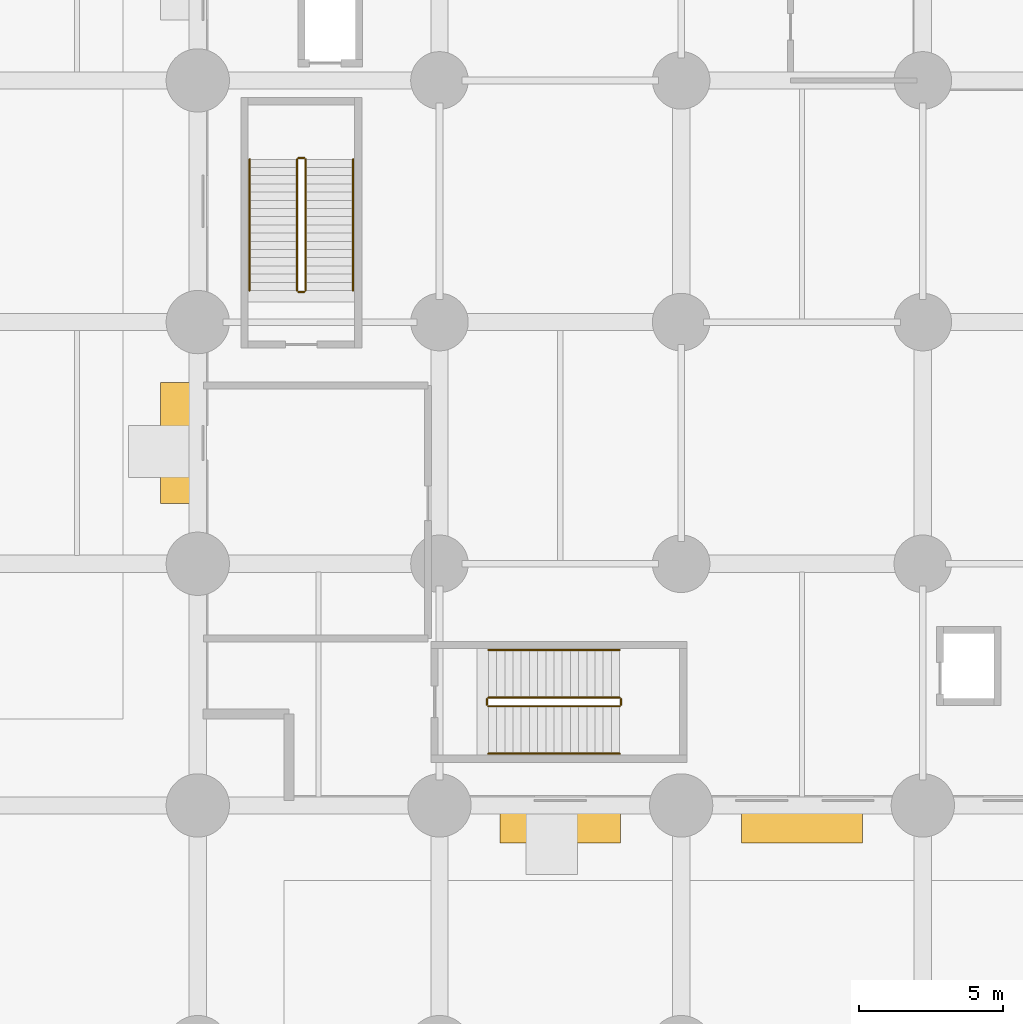
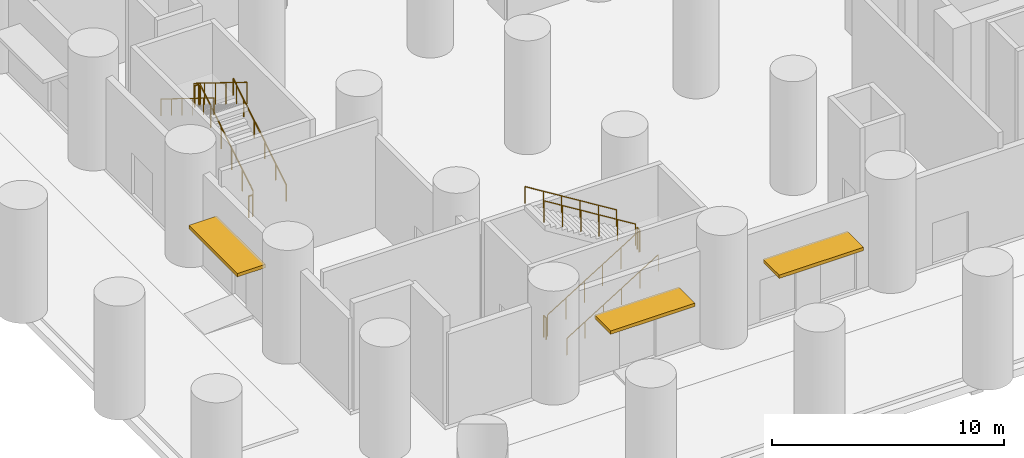
# One storey, part 10 of 13: 12 railings, 3 shading devices.
"""IFC4 building model written with IfcOpenShell, lengths in metres."""

import ifcopenshell
import ifcopenshell.guid

model = None  # the IFC model being written
_history = None  # IfcOwnerHistory: only IFC2X3 demands one
_inside = {}  # id of a spatial element -> (the spatial element, [elements in it])
_under = {}  # id of a project, library or spatial element -> (it, [spatial elements below it])
_declared = {}  # id of a project -> (the project, [libraries it declares])
_typed = {}  # id of a type object -> (the type object, [elements of that type])
_made_of = {}  # id of a material, layer set ... -> (it, [elements and type objects made of it])


def new_model(schema):
    """Start an empty IFC model of exactly this schema.

    Asked for "IFC4X3", IfcOpenShell would pick the latest addendum, in which some entities
    have other attributes; the version numbers below select the first issue.
    IFC2X3 requires an IfcOwnerHistory on every rooted entity: one is made here for all.
    """
    global model, _history
    if schema == "IFC4X3":
        model = ifcopenshell.file(schema_version=(4, 3, 0, 0))
    else:
        model = ifcopenshell.file(schema=schema)
    _inside.clear()
    _under.clear()
    _declared.clear()
    _typed.clear()
    _made_of.clear()
    _history = None
    if model.schema == "IFC2X3":
        org = make("IfcOrganization", Name="unknown")
        user = make(
            "IfcPersonAndOrganization",
            ThePerson=make("IfcPerson", FamilyName="unknown"),
            TheOrganization=org,
        )
        app = make(
            "IfcApplication",
            ApplicationDeveloper=org,
            Version="unknown",
            ApplicationFullName="unknown",
            ApplicationIdentifier="unknown",
        )
        _history = make(
            "IfcOwnerHistory",
            OwningUser=user,
            OwningApplication=app,
            ChangeAction="ADDED",
            CreationDate=0,
        )
    return model


def make(cls, **values):
    """One entity of the class cls with the attributes given. An attribute that is None is left unset."""
    return model.create_entity(
        cls, **{name: value for name, value in values.items() if value is not None}
    )


def rooted(cls, **values):
    """An entity with a GlobalId (a new one), such as an element, a storey or a relation."""
    return make(cls, GlobalId=ifcopenshell.guid.new(), OwnerHistory=_history, **values)


def si_unit(unit_type, name, prefix=None):
    """IfcSIUnit, for example si_unit("LENGTHUNIT", "METRE", prefix="MILLI")."""
    return make("IfcSIUnit", UnitType=unit_type, Prefix=prefix, Name=name)


def assignment(units):
    """IfcUnitAssignment: the units of a project."""
    return None if units is None else make("IfcUnitAssignment", Units=units)


def point(xyz):
    """IfcCartesianPoint."""
    return None if xyz is None else make("IfcCartesianPoint", Coordinates=xyz)


def direction(xyz):
    """IfcDirection."""
    return None if xyz is None else make("IfcDirection", DirectionRatios=xyz)


def frame(location, z_axis=None, x_axis=None):
    """IfcAxis2Placement3D, a coordinate frame: its origin and axes. An axis left out is left unset."""
    return make(
        "IfcAxis2Placement3D",
        Location=point(location),
        Axis=direction(z_axis),
        RefDirection=direction(x_axis),
    )


def frame_2d(location, x_axis=None):
    """IfcAxis2Placement2D, a coordinate frame in the plane: its origin and x axis."""
    return make(
        "IfcAxis2Placement2D", Location=point(location), RefDirection=direction(x_axis)
    )


def origin():
    """The frame at (0, 0, 0) with its axes left unset."""
    return frame((0.0, 0.0, 0.0))


def origin_2d():
    """The frame at (0, 0) in the plane with its x axis left unset."""
    return frame_2d((0.0, 0.0))


def place(relative_to, where):
    """IfcLocalPlacement: puts the frame where relative to a parent placement (None: the world)."""
    return make(
        "IfcLocalPlacement", PlacementRelTo=relative_to, RelativePlacement=where
    )


def context(
    kind, dimensions, precision=None, world=None, true_north=None, identifier=None
):
    """IfcGeometricRepresentationContext, for example the 3D "Model" context."""
    return make(
        "IfcGeometricRepresentationContext",
        ContextIdentifier=identifier,
        ContextType=kind,
        CoordinateSpaceDimension=dimensions,
        Precision=precision,
        WorldCoordinateSystem=world,
        TrueNorth=true_north,
    )


def subcontext(parent, identifier, kind, view, scale=None):
    """IfcGeometricRepresentationSubContext, for example "Body" below "Model"."""
    return make(
        "IfcGeometricRepresentationSubContext",
        ContextIdentifier=identifier,
        ContextType=kind,
        ParentContext=parent,
        TargetScale=scale,
        TargetView=view,
    )


def project(units=None, contexts=None):
    """IfcProject with its units and contexts."""
    return rooted(
        "IfcProject",
        Name="project",
        RepresentationContexts=contexts,
        UnitsInContext=assignment(units),
    )


def spatial(cls, under=None, at=None, **own):
    """A site, building, storey or space (cls), placed at a placement, below another one or the project."""
    s = rooted(cls, ObjectPlacement=at, **own)
    if under is not None:
        _under.setdefault(under.id(), (under, []))[1].append(s)
    return s


def profile(cls, at=None, kind="AREA", **sizes):
    """A parametric profile (cls). Its sizes go by their IFC names, for example OverallWidth=200.0."""
    return make(cls, ProfileType=kind, Position=at, **sizes)


def rectangle(**sizes):
    """IfcRectangleProfileDef."""
    return profile("IfcRectangleProfileDef", **sizes)


def circle(**sizes):
    """IfcCircleProfileDef."""
    return profile("IfcCircleProfileDef", **sizes)


def extrude(swept, where, along, depth):
    """IfcExtrudedAreaSolid: the profile swept, set in the frame where, extruded along a direction by depth."""
    return make(
        "IfcExtrudedAreaSolid",
        SweptArea=swept,
        Position=where,
        ExtrudedDirection=direction(along),
        Depth=depth,
    )


def shape(context_of_items, identifier, shape_type, items):
    """IfcShapeRepresentation: the items that make up one representation, for example the "Body"."""
    return make(
        "IfcShapeRepresentation",
        ContextOfItems=context_of_items,
        RepresentationIdentifier=identifier,
        RepresentationType=shape_type,
        Items=items,
    )


def material(Name=None, Category=None):
    """IfcMaterial."""
    return make("IfcMaterial", Name=Name, Category=Category)


def layer(
    of_material, thickness, ventilated=None, Name=None, Category=None, Priority=None
):
    """IfcMaterialLayer: one layer of a wall or slab, of a material (None: an air gap)."""
    return make(
        "IfcMaterialLayer",
        Material=of_material,
        LayerThickness=thickness,
        IsVentilated=ventilated,
        Name=Name,
        Category=Category,
        Priority=Priority,
    )


def layer_set(layers, Name=None):
    """IfcMaterialLayerSet."""
    return make("IfcMaterialLayerSet", MaterialLayers=layers, LayerSetName=Name)


def made_of(thing, what):
    """Note that an element or type object is made of a material, layer set ...; save() writes the relation."""
    if what is not None:
        _made_of.setdefault(what.id(), (what, []))[1].append(thing)
    return thing


def type_object(cls, material=None, **own):
    """A type object (cls), such as IfcWallType, which elements share."""
    return made_of(rooted(cls, **own), material)


def element(
    cls,
    number,
    at=None,
    inside=None,
    cuts=None,
    type_object=None,
    material=None,
    context=None,
    identifier="Body",
    shape_type=None,
    held_by="IfcProductDefinitionShape",
    body=None,
    shapes=None,
    **own,
):
    """One element of the class cls, such as IfcWall. Its Tag is "e" and its number.

    at: its placement. inside: the storey or other place that contains it. cuts: it is an
    opening in that element (IfcRelVoidsElement). A single representation is given by context,
    identifier, shape_type and body (its items); several are given by shapes. held_by: the class
    of the entity that holds the representations. save() writes the other relations.
    """
    e = rooted(cls, Tag="e%d" % number, ObjectPlacement=at, **own)
    if body is not None:
        shapes = [shape(context, identifier, shape_type, body)]
    if shapes is not None:
        e.Representation = make(held_by, Representations=shapes)
    if inside is not None:
        _inside.setdefault(inside.id(), (inside, []))[1].append(e)
    if cuts is not None:
        rooted(
            "IfcRelVoidsElement", RelatingBuildingElement=cuts, RelatedOpeningElement=e
        )
    if type_object is not None:
        _typed.setdefault(type_object.id(), (type_object, []))[1].append(e)
    return made_of(e, material)


def aggregate(whole, parts):
    """IfcRelAggregates: a whole, such as a stair, and the parts it consists of."""
    return rooted("IfcRelAggregates", RelatingObject=whole, RelatedObjects=parts)


def save(model, path):
    """Write the relations noted so far, then the file.

    IfcRelAggregates (storeys below a building ...), IfcRelContainedInSpatialStructure (elements
    in a storey), IfcRelDefinesByType, IfcRelAssociatesMaterial and IfcRelDeclares: one each for
    every whole, place, type object, material and project.
    """
    for whole, parts in _under.values():
        aggregate(whole, parts)
    for where, things in _inside.values():
        rooted(
            "IfcRelContainedInSpatialStructure",
            RelatedElements=things,
            RelatingStructure=where,
        )
    for kind, things in _typed.values():
        rooted("IfcRelDefinesByType", RelatedObjects=things, RelatingType=kind)
    for what, things in _made_of.values():
        rooted("IfcRelAssociatesMaterial", RelatedObjects=things, RelatingMaterial=what)
    for by, libraries in _declared.values():
        rooted("IfcRelDeclares", RelatingContext=by, RelatedDefinitions=libraries)
    model.write(path)


model = new_model("IFC4")

# Units and contexts
model_context = context("Model", 3, precision=1e-05, world=origin(), true_north=direction((0.0, 1.0)))
body_context = subcontext(model_context, "Body", "Model", "MODEL_VIEW")
ifc_project = project(units=[si_unit("LENGTHUNIT", "METRE"), si_unit("AREAUNIT", "SQUARE_METRE"), si_unit("VOLUMEUNIT", "CUBIC_METRE"), si_unit("PLANEANGLEUNIT", "RADIAN"), si_unit("MASSUNIT", "GRAM", prefix="KILO")], contexts=[model_context])

# Site, building, storey
site_placement = place(None, origin())
site = spatial("IfcSite", under=ifc_project, at=site_placement, CompositionType="ELEMENT")
building_placement = place(site_placement, origin())
building = spatial("IfcBuilding", under=site, at=building_placement, Name="Koriwani Terraces Tower", CompositionType="ELEMENT")
storey_placement = place(building_placement, origin())
storey = spatial("IfcBuildingStorey", under=building, at=storey_placement, Name="L00", CompositionType="ELEMENT", Elevation=0.0)

# Railings
ifc_material_1 = material(Name="Steel ASTM A572 Grade 50", Category="steel")
railing_type_1 = type_object("IfcRailingType", Name="GUARD_STAIR_WELL_1120", PredefinedType="GUARDRAIL", material=ifc_material_1)
railing_1_placement = place(storey_placement, frame((12.14990234375, 26.300048828125, 0.176513671875)))
element("IfcRailing", 1, at=railing_1_placement, inside=storey, type_object=railing_type_1, Name="L00 ST-P1 stair guard 1", PredefinedType="GUARDRAIL", context=body_context, shape_type="SweptSolid", body=[
    extrude(circle(Radius=0.02392578125, at=origin_2d()), frame((0.0, 0.0, 1.1259765625), z_axis=(0.0, 0.850215668316, 0.526434532824), x_axis=(-1.0, 0.0, 0.0)), (0.0, 0.0, 1.0), 5.363525390625),
    extrude(circle(Radius=0.02099609375, at=origin_2d()), origin(), (0.0, 0.0, 1.0), 1.101806640625),
    extrude(circle(Radius=0.02099609375, at=origin_2d()), frame((0.0, 0.912109375, 0.564697265625)), (0.0, 0.0, 1.0), 1.101806640625),
    extrude(circle(Radius=0.02099609375, at=origin_2d()), frame((0.0, 1.823974609375, 1.12939453125)), (0.0, 0.0, 1.0), 1.101806640625),
    extrude(circle(Radius=0.02099609375, at=origin_2d()), frame((0.0, 2.736083984375, 1.694091796875)), (0.0, 0.0, 1.0), 1.101806640625),
    extrude(circle(Radius=0.02099609375, at=origin_2d()), frame((0.0, 3.64794921875, 2.2587890625)), (0.0, 0.0, 1.0), 1.101806640625),
    extrude(circle(Radius=0.02099609375, at=origin_2d()), frame((0.0, 4.56005859375, 2.823486328125)), (0.0, 0.0, 1.0), 1.101806640625),
])
railing_2_placement = place(storey_placement, frame((12.10009765625, 30.909912109375, 3.0)))
element("IfcRailing", 2, at=railing_2_placement, inside=storey, type_object=railing_type_1, Name="L00 ST-P1 stair guard 2", PredefinedType="GUARDRAIL", context=body_context, shape_type="SweptSolid", body=[
    extrude(circle(Radius=0.02392578125, at=origin_2d()), frame((0.0, 0.0, 1.1259765625), z_axis=(-1.0, 0.0, 0.0), x_axis=(0.0, -1.0, 0.0)), (0.0, 0.0, 1.0), 0.2001953125),
    extrude(circle(Radius=0.02099609375, at=origin_2d()), origin(), (0.0, 0.0, 1.0), 1.101806640625),
    extrude(circle(Radius=0.02099609375, at=origin_2d()), frame((-0.2001953125, 0.0, 0.0)), (0.0, 0.0, 1.0), 1.101806640625),
])
railing_3_placement = place(storey_placement, frame((11.85009765625, 30.860107421875, 3.176513671875)))
element("IfcRailing", 3, at=railing_3_placement, inside=storey, type_object=railing_type_1, Name="L00 ST-P1 stair guard 3", PredefinedType="GUARDRAIL", context=body_context, shape_type="SweptSolid", body=[
    extrude(circle(Radius=0.02392578125, at=origin_2d()), frame((0.0, 0.0, 1.1259765625), z_axis=(0.0, -0.850215668316, 0.526434532824), x_axis=(1.0, 0.0, 0.0)), (0.0, 0.0, 1.0), 5.363525390625),
    extrude(circle(Radius=0.02099609375, at=origin_2d()), origin(), (0.0, 0.0, 1.0), 1.101806640625),
    extrude(circle(Radius=0.02099609375, at=origin_2d()), frame((0.0, -0.912109375, 0.564697265625)), (0.0, 0.0, 1.0), 1.101806640625),
    extrude(circle(Radius=0.02099609375, at=origin_2d()), frame((0.0, -1.823974609375, 1.12939453125)), (0.0, 0.0, 1.0), 1.101806640625),
    extrude(circle(Radius=0.02099609375, at=origin_2d()), frame((0.0, -2.736083984375, 1.694091796875)), (0.0, 0.0, 1.0), 1.101806640625),
    extrude(circle(Radius=0.02099609375, at=origin_2d()), frame((0.0, -3.64794921875, 2.2587890625)), (0.0, 0.0, 1.0), 1.101806640625),
    extrude(circle(Radius=0.02099609375, at=origin_2d()), frame((0.0, -4.56005859375, 2.823486328125)), (0.0, 0.0, 1.0), 1.101806640625),
])
railing_4_placement = place(storey_placement, frame((12.10009765625, 26.25, 0.0)))
element("IfcRailing", 4, at=railing_4_placement, inside=storey, type_object=railing_type_1, Name="L00 ST-P1 stair guard 4", PredefinedType="GUARDRAIL", context=body_context, shape_type="SweptSolid", body=[
    extrude(circle(Radius=0.02392578125, at=origin_2d()), frame((0.0, 0.0, 1.1259765625), z_axis=(-1.0, 0.0, 0.0), x_axis=(0.0, -1.0, 0.0)), (0.0, 0.0, 1.0), 0.2001953125),
    extrude(circle(Radius=0.02099609375, at=origin_2d()), origin(), (0.0, 0.0, 1.0), 1.101806640625),
    extrude(circle(Radius=0.02099609375, at=origin_2d()), frame((-0.2001953125, 0.0, 0.0)), (0.0, 0.0, 1.0), 1.101806640625),
])
railing_5_placement = place(storey_placement, frame((18.5, 11.85009765625, 0.176513671875)))
element("IfcRailing", 5, at=railing_5_placement, inside=storey, type_object=railing_type_1, Name="L00 ST-P2 stair guard 1", PredefinedType="GUARDRAIL", context=body_context, shape_type="SweptSolid", body=[
    extrude(circle(Radius=0.02392578125, at=origin_2d()), frame((0.0, 0.0, 1.1259765625), z_axis=(0.850215668316, 0.0, 0.526434532824), x_axis=(0.0, 1.0, 0.0)), (0.0, 0.0, 1.0), 5.363525390625),
    extrude(circle(Radius=0.02099609375, at=origin_2d()), origin(), (0.0, 0.0, 1.0), 1.101806640625),
    extrude(circle(Radius=0.02099609375, at=origin_2d()), frame((0.912109375, 0.0, 0.564697265625)), (0.0, 0.0, 1.0), 1.101806640625),
    extrude(circle(Radius=0.02099609375, at=origin_2d()), frame((1.823974609375, 0.0, 1.12939453125)), (0.0, 0.0, 1.0), 1.101806640625),
    extrude(circle(Radius=0.02099609375, at=origin_2d()), frame((2.736083984375, 0.0, 1.694091796875)), (0.0, 0.0, 1.0), 1.101806640625),
    extrude(circle(Radius=0.02099609375, at=origin_2d()), frame((3.64794921875, 0.0, 2.2587890625)), (0.0, 0.0, 1.0), 1.101806640625),
    extrude(circle(Radius=0.02099609375, at=origin_2d()), frame((4.56005859375, 0.0, 2.823486328125)), (0.0, 0.0, 1.0), 1.101806640625),
])
railing_6_placement = place(storey_placement, frame((23.110107421875, 11.89990234375, 3.0)))
element("IfcRailing", 6, at=railing_6_placement, inside=storey, type_object=railing_type_1, Name="L00 ST-P2 stair guard 2", PredefinedType="GUARDRAIL", context=body_context, shape_type="SweptSolid", body=[
    extrude(circle(Radius=0.02392578125, at=origin_2d()), frame((0.0, 0.0, 1.1259765625), z_axis=(0.0, 1.0, 0.0), x_axis=(-1.0, 0.0, 0.0)), (0.0, 0.0, 1.0), 0.2001953125),
    extrude(circle(Radius=0.02099609375, at=origin_2d()), origin(), (0.0, 0.0, 1.0), 1.101806640625),
    extrude(circle(Radius=0.02099609375, at=origin_2d()), frame((0.0, 0.2001953125, 0.0)), (0.0, 0.0, 1.0), 1.101806640625),
])
railing_7_placement = place(storey_placement, frame((23.06005859375, 12.14990234375, 3.176513671875)))
element("IfcRailing", 7, at=railing_7_placement, inside=storey, type_object=railing_type_1, Name="L00 ST-P2 stair guard 3", PredefinedType="GUARDRAIL", context=body_context, shape_type="SweptSolid", body=[
    extrude(circle(Radius=0.02392578125, at=origin_2d()), frame((0.0, 0.0, 1.1259765625), z_axis=(-0.850215668316, 0.0, 0.526434532824), x_axis=(0.0, -1.0, 0.0)), (0.0, 0.0, 1.0), 5.363525390625),
    extrude(circle(Radius=0.02099609375, at=origin_2d()), origin(), (0.0, 0.0, 1.0), 1.101806640625),
    extrude(circle(Radius=0.02099609375, at=origin_2d()), frame((-0.912109375, 0.0, 0.564697265625)), (0.0, 0.0, 1.0), 1.101806640625),
    extrude(circle(Radius=0.02099609375, at=origin_2d()), frame((-1.823974609375, 0.0, 1.12939453125)), (0.0, 0.0, 1.0), 1.101806640625),
    extrude(circle(Radius=0.02099609375, at=origin_2d()), frame((-2.736083984375, 0.0, 1.694091796875)), (0.0, 0.0, 1.0), 1.101806640625),
    extrude(circle(Radius=0.02099609375, at=origin_2d()), frame((-3.64794921875, 0.0, 2.2587890625)), (0.0, 0.0, 1.0), 1.101806640625),
    extrude(circle(Radius=0.02099609375, at=origin_2d()), frame((-4.56005859375, 0.0, 2.823486328125)), (0.0, 0.0, 1.0), 1.101806640625),
])
railing_8_placement = place(storey_placement, frame((18.449951171875, 11.89990234375, 0.0)))
element("IfcRailing", 8, at=railing_8_placement, inside=storey, type_object=railing_type_1, Name="L00 ST-P2 stair guard 4", PredefinedType="GUARDRAIL", context=body_context, shape_type="SweptSolid", body=[
    extrude(circle(Radius=0.02392578125, at=origin_2d()), frame((0.0, 0.0, 1.1259765625), z_axis=(0.0, 1.0, 0.0), x_axis=(-1.0, 0.0, 0.0)), (0.0, 0.0, 1.0), 0.2001953125),
    extrude(circle(Radius=0.02099609375, at=origin_2d()), origin(), (0.0, 0.0, 1.0), 1.101806640625),
    extrude(circle(Radius=0.02099609375, at=origin_2d()), frame((0.0, 0.2001953125, 0.0)), (0.0, 0.0, 1.0), 1.101806640625),
])
railing_type_2 = type_object("IfcRailingType", Name="HANDRAIL_STAIR_920", PredefinedType="HANDRAIL", material=ifc_material_1)
railing_9_placement = place(storey_placement, frame((13.800048828125, 26.300048828125, 0.176513671875)))
element("IfcRailing", 9, at=railing_9_placement, inside=storey, type_object=railing_type_2, Name="L00 ST-P1 stair handrail 1", PredefinedType="HANDRAIL", context=body_context, shape_type="SweptSolid", body=[
    extrude(circle(Radius=0.02392578125, at=origin_2d()), frame((0.0, 0.0, 0.8759765625), z_axis=(0.0, 0.850215668316, 0.526434532824), x_axis=(-1.0, 0.0, 0.0)), (0.0, 0.0, 1.0), 5.363525390625),
    extrude(circle(Radius=0.02099609375, at=origin_2d()), origin(), (0.0, 0.0, 1.0), 0.851806640625),
    extrude(circle(Radius=0.02099609375, at=origin_2d()), frame((0.0, 0.912109375, 0.564697265625)), (0.0, 0.0, 1.0), 0.851806640625),
    extrude(circle(Radius=0.02099609375, at=origin_2d()), frame((0.0, 1.823974609375, 1.12939453125)), (0.0, 0.0, 1.0), 0.851806640625),
    extrude(circle(Radius=0.02099609375, at=origin_2d()), frame((0.0, 2.736083984375, 1.694091796875)), (0.0, 0.0, 1.0), 0.851806640625),
    extrude(circle(Radius=0.02099609375, at=origin_2d()), frame((0.0, 3.64794921875, 2.2587890625)), (0.0, 0.0, 1.0), 0.851806640625),
    extrude(circle(Radius=0.02099609375, at=origin_2d()), frame((0.0, 4.56005859375, 2.823486328125)), (0.0, 0.0, 1.0), 0.851806640625),
])
railing_10_placement = place(storey_placement, frame((10.199951171875, 30.860107421875, 3.176513671875)))
element("IfcRailing", 10, at=railing_10_placement, inside=storey, type_object=railing_type_2, Name="L00 ST-P1 stair handrail 2", PredefinedType="HANDRAIL", context=body_context, shape_type="SweptSolid", body=[
    extrude(circle(Radius=0.02392578125, at=origin_2d()), frame((0.0, 0.0, 0.8759765625), z_axis=(0.0, -0.850215668316, 0.526434532824), x_axis=(1.0, 0.0, 0.0)), (0.0, 0.0, 1.0), 5.363525390625),
    extrude(circle(Radius=0.02099609375, at=origin_2d()), origin(), (0.0, 0.0, 1.0), 0.851806640625),
    extrude(circle(Radius=0.02099609375, at=origin_2d()), frame((0.0, -0.912109375, 0.564697265625)), (0.0, 0.0, 1.0), 0.851806640625),
    extrude(circle(Radius=0.02099609375, at=origin_2d()), frame((0.0, -1.823974609375, 1.12939453125)), (0.0, 0.0, 1.0), 0.851806640625),
    extrude(circle(Radius=0.02099609375, at=origin_2d()), frame((0.0, -2.736083984375, 1.694091796875)), (0.0, 0.0, 1.0), 0.851806640625),
    extrude(circle(Radius=0.02099609375, at=origin_2d()), frame((0.0, -3.64794921875, 2.2587890625)), (0.0, 0.0, 1.0), 0.851806640625),
    extrude(circle(Radius=0.02099609375, at=origin_2d()), frame((0.0, -4.56005859375, 2.823486328125)), (0.0, 0.0, 1.0), 0.851806640625),
])
railing_11_placement = place(storey_placement, frame((18.5, 10.199951171875, 0.176513671875)))
element("IfcRailing", 11, at=railing_11_placement, inside=storey, type_object=railing_type_2, Name="L00 ST-P2 stair handrail 1", PredefinedType="HANDRAIL", context=body_context, shape_type="SweptSolid", body=[
    extrude(circle(Radius=0.02392578125, at=origin_2d()), frame((0.0, 0.0, 0.8759765625), z_axis=(0.850215668316, 0.0, 0.526434532824), x_axis=(0.0, 1.0, 0.0)), (0.0, 0.0, 1.0), 5.363525390625),
    extrude(circle(Radius=0.02099609375, at=origin_2d()), origin(), (0.0, 0.0, 1.0), 0.851806640625),
    extrude(circle(Radius=0.02099609375, at=origin_2d()), frame((0.912109375, 0.0, 0.564697265625)), (0.0, 0.0, 1.0), 0.851806640625),
    extrude(circle(Radius=0.02099609375, at=origin_2d()), frame((1.823974609375, 0.0, 1.12939453125)), (0.0, 0.0, 1.0), 0.851806640625),
    extrude(circle(Radius=0.02099609375, at=origin_2d()), frame((2.736083984375, 0.0, 1.694091796875)), (0.0, 0.0, 1.0), 0.851806640625),
    extrude(circle(Radius=0.02099609375, at=origin_2d()), frame((3.64794921875, 0.0, 2.2587890625)), (0.0, 0.0, 1.0), 0.851806640625),
    extrude(circle(Radius=0.02099609375, at=origin_2d()), frame((4.56005859375, 0.0, 2.823486328125)), (0.0, 0.0, 1.0), 0.851806640625),
])
railing_12_placement = place(storey_placement, frame((23.06005859375, 13.800048828125, 3.176513671875)))
element("IfcRailing", 12, at=railing_12_placement, inside=storey, type_object=railing_type_2, Name="L00 ST-P2 stair handrail 2", PredefinedType="HANDRAIL", context=body_context, shape_type="SweptSolid", body=[
    extrude(circle(Radius=0.02392578125, at=origin_2d()), frame((0.0, 0.0, 0.8759765625), z_axis=(-0.850215668316, 0.0, 0.526434532824), x_axis=(0.0, -1.0, 0.0)), (0.0, 0.0, 1.0), 5.363525390625),
    extrude(circle(Radius=0.02099609375, at=origin_2d()), origin(), (0.0, 0.0, 1.0), 0.851806640625),
    extrude(circle(Radius=0.02099609375, at=origin_2d()), frame((-0.912109375, 0.0, 0.564697265625)), (0.0, 0.0, 1.0), 0.851806640625),
    extrude(circle(Radius=0.02099609375, at=origin_2d()), frame((-1.823974609375, 0.0, 1.12939453125)), (0.0, 0.0, 1.0), 0.851806640625),
    extrude(circle(Radius=0.02099609375, at=origin_2d()), frame((-2.736083984375, 0.0, 1.694091796875)), (0.0, 0.0, 1.0), 0.851806640625),
    extrude(circle(Radius=0.02099609375, at=origin_2d()), frame((-3.64794921875, 0.0, 2.2587890625)), (0.0, 0.0, 1.0), 0.851806640625),
    extrude(circle(Radius=0.02099609375, at=origin_2d()), frame((-4.56005859375, 0.0, 2.823486328125)), (0.0, 0.0, 1.0), 0.851806640625),
])

# Shading devices
ifc_material_2 = material(Name="Anodised Bronze Aluminium", Category="aluminium")
ifc_layer = layer(ifc_material_2, 0.179931640625, Name="Anodised Bronze Aluminium")
ifc_layer_set = layer_set([ifc_layer], Name="Anodised Bronze Aluminium")
shading_device_type = type_object("IfcShadingDeviceType", Name="SOLAR_SUNSHADE_CANOPY_1400", PredefinedType="AWNING", material=ifc_layer_set)
for number, where, z_axis, x_axis, name in (
    (13, (21.0, 7.800048828125, 3.01025390625), (0.0, 0.0, 1.0), (1.0, 0.0, 0.0), "L00 South Plaza Entrance Solar Canopy 1"),
    (14, (29.39990234375, 7.800048828125, 3.01025390625), (0.0, 0.0, 1.0), (1.0, 0.0, 0.0), "L00 South Plaza Entrance Solar Canopy 2"),
):
    element("IfcShadingDevice", number, at=place(storey_placement, frame(where, z_axis=z_axis, x_axis=x_axis)), inside=storey, type_object=shading_device_type, Name=name, PredefinedType="AWNING", context=body_context, shape_type="SweptSolid", body=[
        extrude(rectangle(XDim=4.199951171875, YDim=1.39990234375, at=origin_2d()), origin(), (0.0, 0.0, 1.0), 0.179931640625),
    ])
shading_device_placement = place(storey_placement, frame((7.800048828125, 21.0, 3.01025390625), z_axis=(0.0, 0.0, 1.0), x_axis=(1.0, 0.0, 0.0)))
element("IfcShadingDevice", 15, at=shading_device_placement, inside=storey, type_object=shading_device_type, Name="L00 West Arrival Entrance Solar Canopy 1", PredefinedType="AWNING", context=body_context, shape_type="SweptSolid", body=[
    extrude(rectangle(XDim=1.39990234375, YDim=4.199951171875, at=origin_2d()), origin(), (0.0, 0.0, 1.0), 0.179931640625),
])

save(model, "model.ifc")
